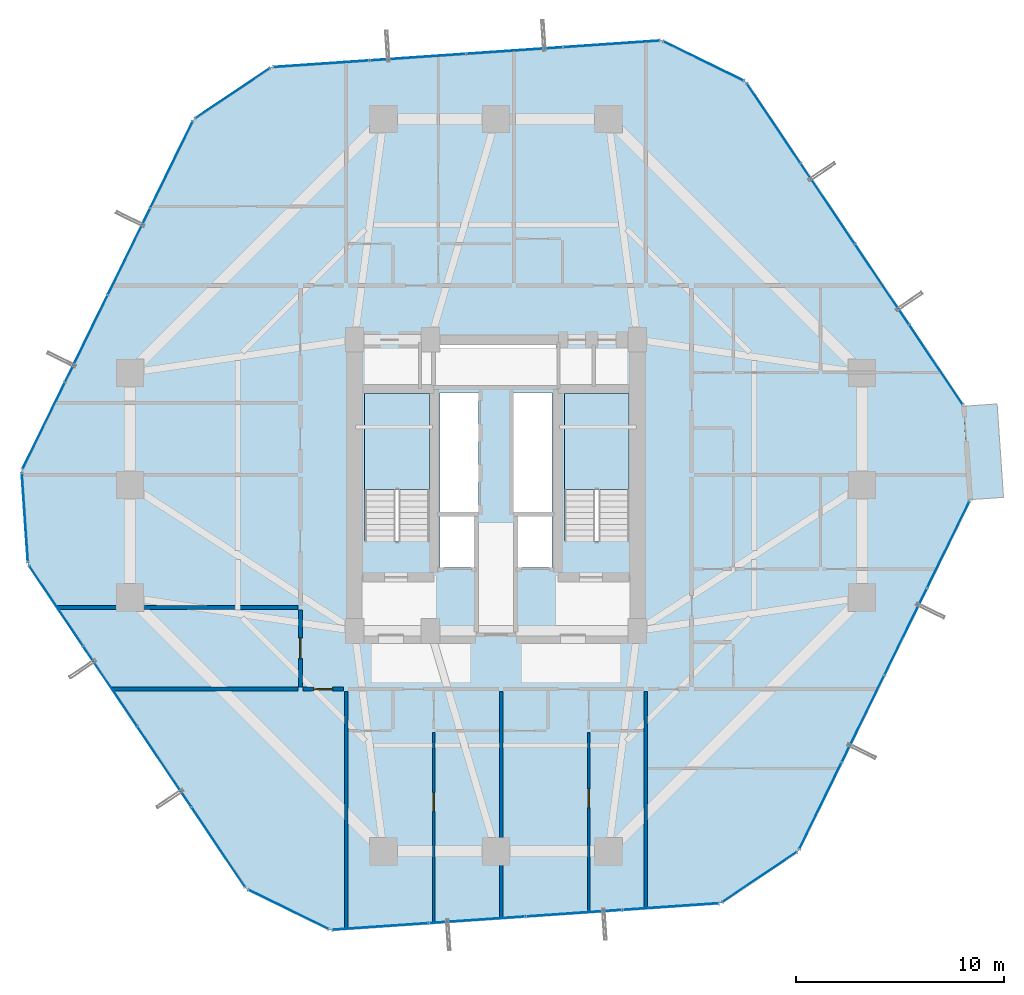
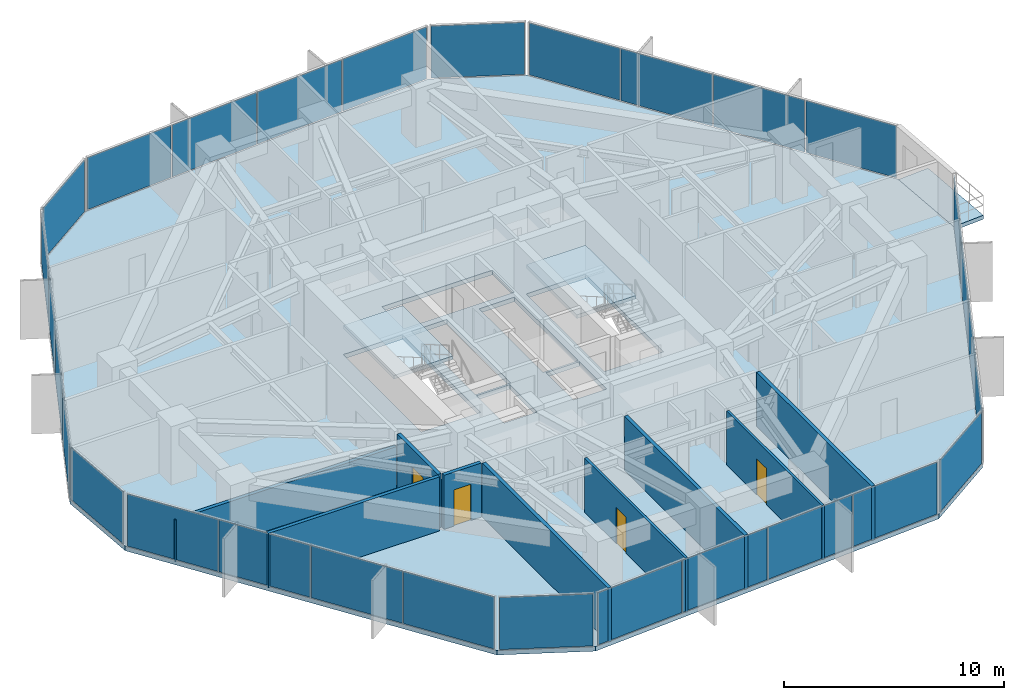
# One storey, part 32 of 37: 29 plates, 9 walls, 4 doors, 4 slabs, 4 openings, 13 elements without a shape of their own.
"""IFC4 building model written with IfcOpenShell, lengths in metres."""

from ifc_helpers import new_model, si_unit, direction, frame, frame_2d, origin, origin_2d, place, context, subcontext, project, spatial, polyline, rectangle, outline, extrude, source, transform, mapped, material, layer, layer_set, type_object, element, fill, aggregate, save


model = new_model("IFC4")

# Units and contexts
model_context = context("Model", 3, precision=1e-05, world=origin(), true_north=direction((0.0, 1.0)))
body_context = subcontext(model_context, "Body", "Model", "MODEL_VIEW")
ifc_project = project(units=[si_unit("LENGTHUNIT", "METRE"), si_unit("AREAUNIT", "SQUARE_METRE"), si_unit("VOLUMEUNIT", "CUBIC_METRE"), si_unit("PLANEANGLEUNIT", "RADIAN"), si_unit("MASSUNIT", "GRAM", prefix="KILO")], contexts=[model_context])

# Site, building, storey
site_placement = place(None, origin())
site = spatial("IfcSite", under=ifc_project, at=site_placement, CompositionType="ELEMENT")
building_placement = place(site_placement, origin())
building = spatial("IfcBuilding", under=site, at=building_placement, Name="Veraguas Prism Commons", CompositionType="ELEMENT")
storey_placement = place(building_placement, frame((0.0, 0.0, 37.050048828125)))
storey = spatial("IfcBuildingStorey", under=building, at=storey_placement, Name="L09", CompositionType="ELEMENT", Elevation=37.050048828125)

# Stair, slab
ifc_material_1 = material(Name="Precast concrete C45/55", Category="concrete")
stair_type = type_object("IfcStairType", Name="Dogleg Core Stair 1480W 20R 05", PredefinedType="HALF_TURN_STAIR", material=ifc_material_1)
stair_1_placement = place(storey_placement, origin())
stair_1 = element("IfcStair", 1, at=stair_1_placement, inside=storey, type_object=stair_type, Name="Protected Exit Stair ST-01 L09", PredefinedType="HALF_TURN_STAIR")
ifc_layer_1 = layer(ifc_material_1, 0.199951171875, Name="Precast Stair and Ramp Landing Slab 200", Category="concrete")
ifc_layer_set_1 = layer_set([ifc_layer_1], Name="Precast concrete C45/55")
slab_type_1 = type_object("IfcSlabType", Name="Precast Stair and Ramp Landing Slab 200", PredefinedType="LANDING", material=ifc_layer_set_1)
slab_1_placement = place(storey_placement, frame((0.0, 0.0, 1.425048828125)))
slab_1 = element("IfcSlab", 2, at=slab_1_placement, type_object=slab_type_1, Name="ST-05 Landing 1", PredefinedType="LANDING", context=body_context, shape_type="SweptSolid", body=[
    extrude(outline(polyline([(20.800048828125, 23.800048828125), (20.800048828125, 28.39990234375), (17.68994140625, 28.39990234375), (17.68994140625, 23.800048828125), (20.800048828125, 23.800048828125)])), origin(), (0.0, 0.0, 1.0), 0.199951171875),
])
aggregate(stair_1, [slab_1])

stair_2_placement = place(storey_placement, origin())
stair_2 = element("IfcStair", 3, at=stair_2_placement, inside=storey, type_object=stair_type, Name="Protected Exit Stair ST-02 L09", PredefinedType="HALF_TURN_STAIR")
slab_2_placement = place(storey_placement, frame((0.0, 0.0, 1.425048828125)))
slab_2 = element("IfcSlab", 4, at=slab_2_placement, type_object=slab_type_1, Name="ST-05 Landing 1", PredefinedType="LANDING", context=body_context, shape_type="SweptSolid", body=[
    extrude(outline(polyline([(30.39990234375, 23.800048828125), (30.39990234375, 28.39990234375), (27.2900390625, 28.39990234375), (27.2900390625, 23.800048828125), (30.39990234375, 23.800048828125)])), origin(), (0.0, 0.0, 1.0), 0.199951171875),
])
aggregate(stair_2, [slab_2])

# Slabs
ifc_material_2 = material(Name="Concrete C45/55", Category="concrete")
ifc_layer_2 = layer(ifc_material_2, 0.219970703125, Name="Recessed Loggia and Terrace Slab RC 220", Category="concrete")
ifc_layer_set_2 = layer_set([ifc_layer_2], Name="Concrete C45/55")
slab_type_2 = type_object("IfcSlabType", Name="Recessed Loggia and Terrace Slab RC 220", PredefinedType="FLOOR", material=ifc_layer_set_2)
slab_3_placement = place(storey_placement, frame((0.0, 0.0, -0.219970703125)))
element("IfcSlab", 5, at=slab_3_placement, inside=storey, type_object=slab_type_2, Name="Recessed Corner Loggia L09-C1", PredefinedType="FLOOR", context=body_context, shape_type="SweptSolid", body=[
    extrude(outline(polyline([(46.78173828125, 23.305908203125), (48.39794921875, 23.41650390625), (48.09033203125, 27.906005859375), (46.47412109375, 27.79541015625), (46.78173828125, 23.305908203125)])), origin(), (0.0, 0.0, 1.0), 0.219970703125),
])
ifc_layer_3 = layer(ifc_material_2, 0.25, Name="Tower Lower Residential Floor Slab RC 250", Category="concrete")
ifc_layer_set_3 = layer_set([ifc_layer_3], Name="Concrete C45/55")
slab_type_3 = type_object("IfcSlabType", Name="Tower Lower Residential Floor Slab RC 250", PredefinedType="FLOOR", material=ifc_layer_set_3)
slab_4_placement = place(storey_placement, frame((0.0, 0.0, -0.25)))
element("IfcSlab", 6, at=slab_4_placement, inside=storey, type_object=slab_type_3, Name="Tower Floor Slab L09", PredefinedType="FLOOR", context=body_context, shape_type="SweptSolid", body=[
    extrude(outline(polyline([(46.8017578125, 23.30712890625), (46.493896484375, 27.796630859375), (36.000732421875, 43.400390625), (31.958984375, 45.378662109375), (13.19921875, 44.09326171875), (9.465087890625, 41.58203125), (1.1982421875, 24.69287109375), (1.506103515625, 20.203369140625), (11.999267578125, 4.599609375), (16.041015625, 2.621337890625), (34.80078125, 3.90673828125), (38.534912109375, 6.41796875), (46.8017578125, 23.30712890625)]), holes=[polyline([(20.800048828125, 21.31005859375), (20.800048828125, 28.39990234375), (17.68994140625, 28.39990234375), (17.68994140625, 21.31005859375), (20.800048828125, 21.31005859375)]), polyline([(30.39990234375, 21.31005859375), (30.39990234375, 28.39990234375), (27.2900390625, 28.39990234375), (27.2900390625, 21.31005859375), (30.39990234375, 21.31005859375)]), polyline([(21.300048828125, 22.64990234375), (23.14990234375, 22.64990234375), (23.14990234375, 28.449951171875), (21.300048828125, 28.449951171875), (21.300048828125, 22.64990234375)]), polyline([(24.85009765625, 22.64990234375), (26.699951171875, 22.64990234375), (26.699951171875, 28.449951171875), (24.85009765625, 28.449951171875), (24.85009765625, 22.64990234375)]), polyline([(21.10009765625, 28.800048828125), (26.89990234375, 28.800048828125), (26.89990234375, 30.800048828125), (21.10009765625, 30.800048828125), (21.10009765625, 28.800048828125)]), polyline([(21.300048828125, 20.050048828125), (23.050048828125, 20.050048828125), (23.050048828125, 22.550048828125), (21.300048828125, 22.550048828125), (21.300048828125, 20.050048828125)]), polyline([(24.949951171875, 20.050048828125), (26.699951171875, 20.050048828125), (26.699951171875, 22.550048828125), (24.949951171875, 22.550048828125), (24.949951171875, 20.050048828125)])]), origin(), (0.0, 0.0, 1.0), 0.25),
])

# Curtain wall, plates
ifc_material_3 = material(Name="Anodised aluminium EN AW-6063 T6", Category="aluminium")
ifc_layer_4 = layer(ifc_material_3, 0.169921875, Name="Unitised Flush Curtain Wall Zone 1", Category="aluminium")
ifc_layer_set_4 = layer_set([ifc_layer_4], Name="Anodised aluminium EN AW-6063 T6")
curtain_wall_type = type_object("IfcCurtainWallType", Name="Unitised Flush Curtain Wall Zone 1", PredefinedType="NOTDEFINED", material=ifc_layer_set_4)
curtain_wall_1_placement = place(storey_placement, origin())
curtain_wall_1 = element("IfcCurtainWall", 7, at=curtain_wall_1_placement, inside=storey, type_object=curtain_wall_type, Name="Tower Facade Curtain Wall L09-F1", PredefinedType="NOTDEFINED")
ifc_material_4 = material(Name="Laminated low-e glass", Category="glass")
ifc_layer_5 = layer(ifc_material_4, 0.028076171875, Name="Unitised Double Low-E Glazed Panel 28", Category="glass")
ifc_layer_set_5 = layer_set([ifc_layer_5], Name="Laminated low-e glass")
plate_type = type_object("IfcPlateType", Name="Unitised Double Low-E Glazed Panel 28", PredefinedType="CURTAIN_PANEL", material=ifc_layer_set_5)
shared_shape_1 = source(origin(), body_context, "Body", "SweptSolid", [
    extrude(rectangle(XDim=4.5810546875, YDim=0.028076171875, at=origin_2d()), origin(), (0.0, 0.0, 1.0), 2.889892578125),
])
plate_1_placement = place(storey_placement, frame((45.14892578125, 29.796875, 0.05517578125), z_axis=(0.0, 0.0, 1.0), x_axis=(-0.558034803938, 0.829817544761, 0.0)))
plate_1 = element("IfcPlate", 8, at=plate_1_placement, type_object=plate_type, Name="CW-Z1 Panel 1.1", PredefinedType="CURTAIN_PANEL", context=body_context, shape_type="MappedRepresentation", body=[
    mapped(shared_shape_1, transform((0.0, 0.0, 0.0), scale=1.0)),
])
plate_2_placement = place(storey_placement, frame((37.345947265625, 41.400146484375, 0.05517578125), z_axis=(0.0, 0.0, 1.0), x_axis=(-0.558034803938, 0.829817544761, 0.0)))
plate_2 = element("IfcPlate", 9, at=plate_2_placement, type_object=plate_type, Name="CW-Z1 Panel 4.1", PredefinedType="CURTAIN_PANEL", context=body_context, shape_type="MappedRepresentation", body=[
    mapped(shared_shape_1, transform((0.0, 0.0, 0.0), scale=1.0)),
])

curtain_wall_2_placement = place(storey_placement, origin())
curtain_wall_2 = element("IfcCurtainWall", 10, at=curtain_wall_2_placement, inside=storey, type_object=curtain_wall_type, Name="Tower Facade Curtain Wall L09-F3", PredefinedType="NOTDEFINED")
plate_3_placement = place(storey_placement, frame((8.4052734375, 39.4169921875, 0.05517578125), z_axis=(0.0, 0.0, 1.0), x_axis=(-0.4396256723, -0.898181088787, 0.0)))
plate_3 = element("IfcPlate", 11, at=plate_3_placement, type_object=plate_type, Name="CW-Z1 Panel 1.1", PredefinedType="CURTAIN_PANEL", context=body_context, shape_type="MappedRepresentation", body=[
    mapped(shared_shape_1, transform((0.0, 0.0, 0.0), scale=1.0)),
])
plate_4_placement = place(storey_placement, frame((2.258056640625, 26.85791015625, 0.05517578125), z_axis=(0.0, 0.0, 1.0), x_axis=(-0.4396256723, -0.898181088787, 0.0)))
plate_4 = element("IfcPlate", 12, at=plate_4_placement, type_object=plate_type, Name="CW-Z1 Panel 4.1", PredefinedType="CURTAIN_PANEL", context=body_context, shape_type="MappedRepresentation", body=[
    mapped(shared_shape_1, transform((0.0, 0.0, 0.0), scale=1.0)),
])

curtain_wall_3_placement = place(storey_placement, origin())
curtain_wall_3 = element("IfcCurtainWall", 13, at=curtain_wall_3_placement, inside=storey, type_object=curtain_wall_type, Name="Tower Facade Curtain Wall L09-F4", PredefinedType="NOTDEFINED")
plate_5_placement = place(storey_placement, frame((2.85107421875, 18.203125, 0.05517578125), z_axis=(0.0, 0.0, 1.0), x_axis=(0.558034803938, -0.829817544761, 0.0)))
plate_5 = element("IfcPlate", 14, at=plate_5_placement, type_object=plate_type, Name="CW-Z1 Panel 1.1", PredefinedType="CURTAIN_PANEL", context=body_context, shape_type="MappedRepresentation", body=[
    mapped(shared_shape_1, transform((0.0, 0.0, 0.0), scale=1.0)),
])
plate_6_placement = place(storey_placement, frame((10.654052734375, 6.599853515625, 0.05517578125), z_axis=(0.0, 0.0, 1.0), x_axis=(0.558034803938, -0.829817544761, 0.0)))
plate_6 = element("IfcPlate", 15, at=plate_6_placement, type_object=plate_type, Name="CW-Z1 Panel 4.1", PredefinedType="CURTAIN_PANEL", context=body_context, shape_type="MappedRepresentation", body=[
    mapped(shared_shape_1, transform((0.0, 0.0, 0.0), scale=1.0)),
])

curtain_wall_4_placement = place(storey_placement, origin())
curtain_wall_4 = element("IfcCurtainWall", 16, at=curtain_wall_4_placement, inside=storey, type_object=curtain_wall_type, Name="Tower Facade Curtain Wall L09-F6", PredefinedType="NOTDEFINED")
plate_7_placement = place(storey_placement, frame((39.5947265625, 8.5830078125, 0.05517578125), z_axis=(0.0, 0.0, 1.0), x_axis=(0.4396256723, 0.898181088787, 0.0)))
plate_7 = element("IfcPlate", 17, at=plate_7_placement, type_object=plate_type, Name="CW-Z1 Panel 1.1", PredefinedType="CURTAIN_PANEL", context=body_context, shape_type="MappedRepresentation", body=[
    mapped(shared_shape_1, transform((0.0, 0.0, 0.0), scale=1.0)),
])
plate_8_placement = place(storey_placement, frame((45.741943359375, 21.14208984375, 0.05517578125), z_axis=(0.0, 0.0, 1.0), x_axis=(0.4396256723, 0.898181088787, 0.0)))
plate_8 = element("IfcPlate", 18, at=plate_8_placement, type_object=plate_type, Name="CW-Z1 Panel 4.1", PredefinedType="CURTAIN_PANEL", context=body_context, shape_type="MappedRepresentation", body=[
    mapped(shared_shape_1, transform((0.0, 0.0, 0.0), scale=1.0)),
])

# Plate
shared_shape_2 = source(origin(), body_context, "Body", "SweptSolid", [
    extrude(rectangle(XDim=4.611083984375, YDim=0.028076171875, at=origin_2d()), origin(), (0.0, 0.0, 1.0), 2.889892578125),
])
plate_9_placement = place(storey_placement, frame((6.3583984375, 35.235107421875, 0.05517578125), z_axis=(0.0, 0.0, 1.0), x_axis=(-0.4396256723, -0.898181088787, 0.0)))
plate_9 = element("IfcPlate", 19, at=plate_9_placement, type_object=plate_type, Name="CW-Z1 Panel 2.1", PredefinedType="CURTAIN_PANEL", context=body_context, shape_type="MappedRepresentation", body=[
    mapped(shared_shape_2, transform((0.0, 0.0, 0.0), scale=1.0)),
])

plate_10_placement = place(storey_placement, frame((4.304931640625, 31.039794921875, 0.05517578125), z_axis=(0.0, 0.0, 1.0), x_axis=(-0.4396256723, -0.898181088787, 0.0)))
plate_10 = element("IfcPlate", 20, at=plate_10_placement, type_object=plate_type, Name="CW-Z1 Panel 3.1", PredefinedType="CURTAIN_PANEL", context=body_context, shape_type="MappedRepresentation", body=[
    mapped(shared_shape_2, transform((0.0, 0.0, 0.0), scale=1.0)),
])

aggregate(curtain_wall_2, [plate_3, plate_9, plate_10, plate_4])

plate_11_placement = place(storey_placement, frame((41.6416015625, 12.764892578125, 0.05517578125), z_axis=(0.0, 0.0, 1.0), x_axis=(0.4396256723, 0.898181088787, 0.0)))
plate_11 = element("IfcPlate", 21, at=plate_11_placement, type_object=plate_type, Name="CW-Z1 Panel 2.1", PredefinedType="CURTAIN_PANEL", context=body_context, shape_type="MappedRepresentation", body=[
    mapped(shared_shape_2, transform((0.0, 0.0, 0.0), scale=1.0)),
])

plate_12_placement = place(storey_placement, frame((43.695068359375, 16.960205078125, 0.05517578125), z_axis=(0.0, 0.0, 1.0), x_axis=(0.4396256723, 0.898181088787, 0.0)))
plate_12 = element("IfcPlate", 22, at=plate_12_placement, type_object=plate_type, Name="CW-Z1 Panel 3.1", PredefinedType="CURTAIN_PANEL", context=body_context, shape_type="MappedRepresentation", body=[
    mapped(shared_shape_2, transform((0.0, 0.0, 0.0), scale=1.0)),
])

aggregate(curtain_wall_4, [plate_7, plate_11, plate_12, plate_8])

shared_shape_3 = source(origin(), body_context, "Body", "SweptSolid", [
    extrude(rectangle(XDim=4.61083984375, YDim=0.028076171875, at=origin_2d()), origin(), (0.0, 0.0, 1.0), 2.889892578125),
])
plate_13_placement = place(storey_placement, frame((42.55078125, 33.66064453125, 0.05517578125), z_axis=(0.0, 0.0, 1.0), x_axis=(-0.558034803938, 0.829817544761, 0.0)))
plate_13 = element("IfcPlate", 23, at=plate_13_placement, type_object=plate_type, Name="CW-Z1 Panel 2.1", PredefinedType="CURTAIN_PANEL", context=body_context, shape_type="MappedRepresentation", body=[
    mapped(shared_shape_3, transform((0.0, 0.0, 0.0), scale=1.0)),
])

plate_14_placement = place(storey_placement, frame((39.944091796875, 37.53662109375, 0.05517578125), z_axis=(0.0, 0.0, 1.0), x_axis=(-0.558034803938, 0.829817544761, 0.0)))
plate_14 = element("IfcPlate", 24, at=plate_14_placement, type_object=plate_type, Name="CW-Z1 Panel 3.1", PredefinedType="CURTAIN_PANEL", context=body_context, shape_type="MappedRepresentation", body=[
    mapped(shared_shape_3, transform((0.0, 0.0, 0.0), scale=1.0)),
])

aggregate(curtain_wall_1, [plate_1, plate_13, plate_14, plate_2])

# Curtain wall, plates
curtain_wall_5_placement = place(storey_placement, origin())
curtain_wall_5 = element("IfcCurtainWall", 25, at=curtain_wall_5_placement, inside=storey, type_object=curtain_wall_type, Name="Tower Facade Curtain Wall L09-F2", PredefinedType="NOTDEFINED")
plate_15_placement = place(storey_placement, frame((24.9091796875, 44.8955078125, 0.05517578125), z_axis=(0.0, 0.0, 1.0), x_axis=(-0.997660476238, -0.068363544026, 0.0)))
plate_15 = element("IfcPlate", 26, at=plate_15_placement, type_object=plate_type, Name="CW-Z1 Panel 2.1", PredefinedType="CURTAIN_PANEL", context=body_context, shape_type="MappedRepresentation", body=[
    mapped(shared_shape_3, transform((0.0, 0.0, 0.0), scale=1.0)),
])
plate_16_placement = place(storey_placement, frame((20.2490234375, 44.576171875, 0.05517578125), z_axis=(0.0, 0.0, 1.0), x_axis=(-0.997660476238, -0.068363544026, 0.0)))
plate_16 = element("IfcPlate", 27, at=plate_16_placement, type_object=plate_type, Name="CW-Z1 Panel 3.1", PredefinedType="CURTAIN_PANEL", context=body_context, shape_type="MappedRepresentation", body=[
    mapped(shared_shape_3, transform((0.0, 0.0, 0.0), scale=1.0)),
])

# Plate
plate_17_placement = place(storey_placement, frame((5.44921875, 14.33935546875, 0.05517578125), z_axis=(0.0, 0.0, 1.0), x_axis=(0.558034803938, -0.829817544761, 0.0)))
plate_17 = element("IfcPlate", 28, at=plate_17_placement, type_object=plate_type, Name="CW-Z1 Panel 2.1", PredefinedType="CURTAIN_PANEL", context=body_context, shape_type="MappedRepresentation", body=[
    mapped(shared_shape_3, transform((0.0, 0.0, 0.0), scale=1.0)),
])

plate_18_placement = place(storey_placement, frame((8.055908203125, 10.46337890625, 0.05517578125), z_axis=(0.0, 0.0, 1.0), x_axis=(0.558034803938, -0.829817544761, 0.0)))
plate_18 = element("IfcPlate", 29, at=plate_18_placement, type_object=plate_type, Name="CW-Z1 Panel 3.1", PredefinedType="CURTAIN_PANEL", context=body_context, shape_type="MappedRepresentation", body=[
    mapped(shared_shape_3, transform((0.0, 0.0, 0.0), scale=1.0)),
])

aggregate(curtain_wall_3, [plate_5, plate_17, plate_18, plate_6])

# Curtain wall, plates
curtain_wall_6_placement = place(storey_placement, origin())
curtain_wall_6 = element("IfcCurtainWall", 30, at=curtain_wall_6_placement, inside=storey, type_object=curtain_wall_type, Name="Tower Facade Curtain Wall L09-F5", PredefinedType="NOTDEFINED")
plate_19_placement = place(storey_placement, frame((23.0908203125, 3.1044921875, 0.05517578125), z_axis=(0.0, 0.0, 1.0), x_axis=(0.997660476238, 0.068363544026, 0.0)))
plate_19 = element("IfcPlate", 31, at=plate_19_placement, type_object=plate_type, Name="CW-Z1 Panel 2.1", PredefinedType="CURTAIN_PANEL", context=body_context, shape_type="MappedRepresentation", body=[
    mapped(shared_shape_3, transform((0.0, 0.0, 0.0), scale=1.0)),
])
plate_20_placement = place(storey_placement, frame((27.7509765625, 3.423828125, 0.05517578125), z_axis=(0.0, 0.0, 1.0), x_axis=(0.997660476238, 0.068363544026, 0.0)))
plate_20 = element("IfcPlate", 32, at=plate_20_placement, type_object=plate_type, Name="CW-Z1 Panel 3.1", PredefinedType="CURTAIN_PANEL", context=body_context, shape_type="MappedRepresentation", body=[
    mapped(shared_shape_3, transform((0.0, 0.0, 0.0), scale=1.0)),
])

# Curtain wall, plate
curtain_wall_7_placement = place(storey_placement, origin())
curtain_wall_7 = element("IfcCurtainWall", 33, at=curtain_wall_7_placement, inside=storey, type_object=curtain_wall_type, Name="Chamfer Curtain Wall L09-C2", PredefinedType="NOTDEFINED")
shared_shape_4 = source(origin(), body_context, "Body", "SweptSolid", [
    extrude(rectangle(XDim=4.260009765625, YDim=0.028076171875, at=origin_2d()), origin(), (0.0, 0.0, 1.0), 2.889892578125),
])
plate_21_placement = place(storey_placement, frame((33.97998046875, 44.3896484375, 0.05517578125), z_axis=(0.0, 0.0, 1.0), x_axis=(-0.898184925211, 0.439617834175, 0.0)))
plate_21 = element("IfcPlate", 34, at=plate_21_placement, type_object=plate_type, Name="CW-Z1 Panel 1.1", PredefinedType="CURTAIN_PANEL", context=body_context, shape_type="MappedRepresentation", body=[
    mapped(shared_shape_4, transform((0.0, 0.0, 0.0), scale=1.0)),
])
aggregate(curtain_wall_7, [plate_21])

curtain_wall_8_placement = place(storey_placement, origin())
curtain_wall_8 = element("IfcCurtainWall", 35, at=curtain_wall_8_placement, inside=storey, type_object=curtain_wall_type, Name="Chamfer Curtain Wall L09-C3", PredefinedType="NOTDEFINED")
plate_22_placement = place(storey_placement, frame((11.33203125, 42.837646484375, 0.05517578125), z_axis=(0.0, 0.0, 1.0), x_axis=(-0.82982728418, -0.558020320805, 0.0)))
plate_22 = element("IfcPlate", 36, at=plate_22_placement, type_object=plate_type, Name="CW-Z1 Panel 1.1", PredefinedType="CURTAIN_PANEL", context=body_context, shape_type="MappedRepresentation", body=[
    mapped(shared_shape_4, transform((0.0, 0.0, 0.0), scale=1.0)),
])
aggregate(curtain_wall_8, [plate_22])

curtain_wall_9_placement = place(storey_placement, origin())
curtain_wall_9 = element("IfcCurtainWall", 37, at=curtain_wall_9_placement, inside=storey, type_object=curtain_wall_type, Name="Chamfer Curtain Wall L09-C4", PredefinedType="NOTDEFINED")
plate_23_placement = place(storey_placement, frame((1.35205078125, 22.447998046875, 0.05517578125), z_axis=(0.0, 0.0, 1.0), x_axis=(0.068379215231, -0.997659402263, 0.0)))
plate_23 = element("IfcPlate", 38, at=plate_23_placement, type_object=plate_type, Name="CW-Z1 Panel 1.1", PredefinedType="CURTAIN_PANEL", context=body_context, shape_type="MappedRepresentation", body=[
    mapped(shared_shape_4, transform((0.0, 0.0, 0.0), scale=1.0)),
])
aggregate(curtain_wall_9, [plate_23])

curtain_wall_10_placement = place(storey_placement, origin())
curtain_wall_10 = element("IfcCurtainWall", 39, at=curtain_wall_10_placement, inside=storey, type_object=curtain_wall_type, Name="Chamfer Curtain Wall L09-C5", PredefinedType="NOTDEFINED")
plate_24_placement = place(storey_placement, frame((14.02001953125, 3.6103515625, 0.05517578125), z_axis=(0.0, 0.0, 1.0), x_axis=(0.898184925211, -0.439617834175, 0.0)))
plate_24 = element("IfcPlate", 40, at=plate_24_placement, type_object=plate_type, Name="CW-Z1 Panel 1.1", PredefinedType="CURTAIN_PANEL", context=body_context, shape_type="MappedRepresentation", body=[
    mapped(shared_shape_4, transform((0.0, 0.0, 0.0), scale=1.0)),
])
aggregate(curtain_wall_10, [plate_24])

curtain_wall_11_placement = place(storey_placement, origin())
curtain_wall_11 = element("IfcCurtainWall", 41, at=curtain_wall_11_placement, inside=storey, type_object=curtain_wall_type, Name="Chamfer Curtain Wall L09-C6", PredefinedType="NOTDEFINED")
plate_25_placement = place(storey_placement, frame((36.66796875, 5.162353515625, 0.05517578125), z_axis=(0.0, 0.0, 1.0), x_axis=(0.82982728418, 0.558020320805, 0.0)))
plate_25 = element("IfcPlate", 42, at=plate_25_placement, type_object=plate_type, Name="CW-Z1 Panel 1.1", PredefinedType="CURTAIN_PANEL", context=body_context, shape_type="MappedRepresentation", body=[
    mapped(shared_shape_4, transform((0.0, 0.0, 0.0), scale=1.0)),
])
aggregate(curtain_wall_11, [plate_25])

# Plate
shared_shape_5 = source(origin(), body_context, "Body", "SweptSolid", [
    extrude(rectangle(XDim=4.580810546875, YDim=0.028076171875, at=origin_2d()), origin(), (0.0, 0.0, 1.0), 2.889892578125),
])
plate_26_placement = place(storey_placement, frame((29.55419921875, 45.2138671875, 0.05517578125), z_axis=(0.0, 0.0, 1.0), x_axis=(-0.997660476238, -0.068363544026, 0.0)))
plate_26 = element("IfcPlate", 43, at=plate_26_placement, type_object=plate_type, Name="CW-Z1 Panel 1.1", PredefinedType="CURTAIN_PANEL", context=body_context, shape_type="MappedRepresentation", body=[
    mapped(shared_shape_5, transform((0.0, 0.0, 0.0), scale=1.0)),
])

plate_27_placement = place(storey_placement, frame((15.60400390625, 44.258056640625, 0.05517578125), z_axis=(0.0, 0.0, 1.0), x_axis=(-0.997660476238, -0.068363544026, 0.0)))
plate_27 = element("IfcPlate", 44, at=plate_27_placement, type_object=plate_type, Name="CW-Z1 Panel 4.1", PredefinedType="CURTAIN_PANEL", context=body_context, shape_type="MappedRepresentation", body=[
    mapped(shared_shape_5, transform((0.0, 0.0, 0.0), scale=1.0)),
])

aggregate(curtain_wall_5, [plate_26, plate_15, plate_16, plate_27])

plate_28_placement = place(storey_placement, frame((18.44580078125, 2.7861328125, 0.05517578125), z_axis=(0.0, 0.0, 1.0), x_axis=(0.997660476238, 0.068363544026, 0.0)))
plate_28 = element("IfcPlate", 45, at=plate_28_placement, type_object=plate_type, Name="CW-Z1 Panel 1.1", PredefinedType="CURTAIN_PANEL", context=body_context, shape_type="MappedRepresentation", body=[
    mapped(shared_shape_5, transform((0.0, 0.0, 0.0), scale=1.0)),
])

plate_29_placement = place(storey_placement, frame((32.39599609375, 3.741943359375, 0.05517578125), z_axis=(0.0, 0.0, 1.0), x_axis=(0.997660476238, 0.068363544026, 0.0)))
plate_29 = element("IfcPlate", 46, at=plate_29_placement, type_object=plate_type, Name="CW-Z1 Panel 4.1", PredefinedType="CURTAIN_PANEL", context=body_context, shape_type="MappedRepresentation", body=[
    mapped(shared_shape_5, transform((0.0, 0.0, 0.0), scale=1.0)),
])

aggregate(curtain_wall_6, [plate_28, plate_19, plate_20, plate_29])

# Walls
ifc_material_5 = material(Name="Autoclaved aerated masonry block 10 MPa", Category="masonry")
ifc_layer_6 = layer(ifc_material_5, 0.179931640625, Name="Corridor and Inter-Tenancy Partition 180", Category="masonry")
ifc_layer_set_6 = layer_set([ifc_layer_6], Name="Autoclaved aerated masonry block 10 MPa")
wall_type_1 = type_object("IfcWallType", Name="Corridor and Inter-Tenancy Partition 180", PredefinedType="PARTITIONING", material=ifc_layer_set_6)
wall_1_placement = place(storey_placement, frame((16.800048828125, 14.080078125, 0.0), z_axis=(0.0, 0.0, 1.0), x_axis=(0.0, -1.0, 0.0)))
element("IfcWall", 47, at=wall_1_placement, inside=storey, type_object=wall_type_1, Name="WL-L09-PT001", PredefinedType="PARTITIONING", context=body_context, shape_type="SweptSolid", body=[
    extrude(rectangle(XDim=11.436767578125, YDim=0.179931640625, at=frame_2d((5.71826171875, 0.0))), origin(), (0.0, 0.0, 1.0), 3.0),
])
wall_2_placement = place(storey_placement, frame((31.199951171875, 14.080078125, 0.0), z_axis=(0.0, 0.0, 1.0), x_axis=(0.0, -1.0, 0.0)))
element("IfcWall", 48, at=wall_2_placement, inside=storey, type_object=wall_type_1, Name="WL-L09-PT002", PredefinedType="PARTITIONING", context=body_context, shape_type="SweptSolid", body=[
    extrude(rectangle(XDim=10.4501953125, YDim=0.179931640625, at=frame_2d((5.22509765625, 0.0))), origin(), (0.0, 0.0, 1.0), 3.0),
])
wall_3_placement = place(storey_placement, frame((24.258056640625, 14.080078125, 0.0), z_axis=(0.0, 0.0, 1.0), x_axis=(0.0, -1.0, 0.0)))
element("IfcWall", 49, at=wall_3_placement, inside=storey, type_object=wall_type_1, Name="WL-L09-PT009", PredefinedType="PARTITIONING", context=body_context, shape_type="SweptSolid", body=[
    extrude(rectangle(XDim=10.92578125, YDim=0.179931640625, at=frame_2d((5.462890625, 0.0))), origin(), (0.0, 0.0, 1.0), 3.0),
])
wall_4_placement = place(storey_placement, frame((14.47998046875, 14.199951171875, 0.0), z_axis=(0.0, 0.0, 1.0), x_axis=(-1.0, 0.0, 0.0)))
element("IfcWall", 50, at=wall_4_placement, inside=storey, type_object=wall_type_1, Name="WL-L09-PT028", PredefinedType="PARTITIONING", context=body_context, shape_type="SweptSolid", body=[
    extrude(rectangle(XDim=8.972900390625, YDim=0.179931640625, at=frame_2d((4.486328125, 0.0))), origin(), (0.0, 0.0, 1.0), 3.0),
])

# Wall, opening, door
wall_5_placement = place(storey_placement, frame((14.60009765625, 14.31005859375, 0.0), z_axis=(0.0, 0.0, 1.0), x_axis=(0.0, 1.0, 0.0)))
wall_5 = element("IfcWall", 51, at=wall_5_placement, inside=storey, type_object=wall_type_1, Name="WL-L09-PT030", PredefinedType="PARTITIONING", context=body_context, shape_type="SweptSolid", body=[
    extrude(rectangle(XDim=3.697021484375, YDim=0.179931640625, at=frame_2d((1.8486328125, 0.0))), origin(), (0.0, 0.0, 1.0), 3.0),
])
opening_1_placement = place(wall_5_placement, frame((1.348388671875, 0.0, 0.0)))
opening_1 = element("IfcOpeningElement", 52, at=opening_1_placement, cuts=wall_5, Name="Opening DR-13", PredefinedType="OPENING", context=body_context, shape_type="SweptSolid", body=[
    extrude(rectangle(XDim=1.0, YDim=2.010009765625, at=frame_2d((0.5, 1.0048828125))), frame((0.0, 0.099853515625, 0.0), z_axis=(0.0, -1.0, 0.0), x_axis=(1.0, 0.0, 0.0)), (0.0, 0.0, 1.0), 0.199951171875),
])
ifc_material_6 = material(Name="Steel fire-rated door assembly", Category="steel")
door_type_1 = type_object("IfcDoorType", Name="Core Accessible WC and Clinic Fire Door 1000x2010", OperationType="NOTDEFINED", PredefinedType="DOOR", material=ifc_material_6)
shared_shape_6 = source(origin(), body_context, "Body", "SweptSolid", [
    extrude(rectangle(XDim=1.0, YDim=2.010009765625, at=frame_2d((0.5, 1.0048828125))), frame((0.0, 0.02490234375, 0.0), z_axis=(0.0, -1.0, 0.0), x_axis=(1.0, 0.0, 0.0)), (0.0, 0.0, 1.0), 0.050048828125),
])
door_1_placement = place(opening_1_placement, origin())
door_1 = element("IfcDoor", 53, at=door_1_placement, inside=storey, type_object=door_type_1, Name="Community Co-op Kitchen Door", OperationType="SINGLE_SWING_LEFT", OverallHeight=2.010009765625, OverallWidth=1.0, PredefinedType="DOOR", context=body_context, shape_type="MappedRepresentation", body=[
    mapped(shared_shape_6, transform((0.0, 0.0, 0.0), scale=1.0)),
])
fill(opening_1, door_1)

# Wall
wall_6_placement = place(storey_placement, frame((14.47998046875, 18.116943359375, 0.0), z_axis=(0.0, 0.0, 1.0), x_axis=(-1.0, 0.0, 0.0)))
element("IfcWall", 54, at=wall_6_placement, inside=storey, type_object=wall_type_1, Name="WL-L09-PT032", PredefinedType="PARTITIONING", context=body_context, shape_type="SweptSolid", body=[
    extrude(rectangle(XDim=11.607177734375, YDim=0.179931640625, at=frame_2d((5.8037109375, 0.0))), origin(), (0.0, 0.0, 1.0), 2.299072265625),
])

# Wall, opening, door
wall_7_placement = place(storey_placement, frame((14.719970703125, 14.199951171875, 0.0), z_axis=(0.0, 0.0, 1.0), x_axis=(1.0, 0.0, 0.0)))
wall_7 = element("IfcWall", 55, at=wall_7_placement, inside=storey, type_object=wall_type_1, Name="WL-L09-PT056", PredefinedType="PARTITIONING", context=body_context, shape_type="SweptSolid", body=[
    extrude(rectangle(XDim=1.9599609375, YDim=0.179931640625, at=frame_2d((0.97998046875, 0.0))), origin(), (0.0, 0.0, 1.0), 3.0),
])
opening_2_placement = place(wall_7_placement, frame((0.530029296875, 0.0, 0.0)))
opening_2 = element("IfcOpeningElement", 56, at=opening_2_placement, cuts=wall_7, Name="Opening DR-14", PredefinedType="OPENING", context=body_context, shape_type="SweptSolid", body=[
    extrude(rectangle(XDim=0.89990234375, YDim=2.010009765625, at=frame_2d((0.449951171875, 1.0048828125))), frame((0.0, 0.099853515625, 0.0), z_axis=(0.0, -1.0, 0.0), x_axis=(1.0, 0.0, 0.0)), (0.0, 0.0, 1.0), 0.199951171875),
])
door_type_2 = type_object("IfcDoorType", Name="Core Service Room Fire Door 900x2010", OperationType="NOTDEFINED", PredefinedType="DOOR", material=ifc_material_6)
shared_shape_7 = source(origin(), body_context, "Body", "SweptSolid", [
    extrude(rectangle(XDim=0.89990234375, YDim=2.010009765625, at=frame_2d((0.449951171875, 1.0048828125))), frame((0.0, 0.02490234375, 0.0), z_axis=(0.0, -1.0, 0.0), x_axis=(1.0, 0.0, 0.0)), (0.0, 0.0, 1.0), 0.050048828125),
])
door_2_placement = place(opening_2_placement, origin())
door_2 = element("IfcDoor", 57, at=door_2_placement, inside=storey, type_object=door_type_2, Name="Residents Corner Study Room SW Door", OperationType="SINGLE_SWING_LEFT", OverallHeight=2.010009765625, OverallWidth=0.89990234375, PredefinedType="DOOR", context=body_context, shape_type="MappedRepresentation", body=[
    mapped(shared_shape_7, transform((0.0, 0.0, 0.0), scale=1.0)),
])
fill(opening_2, door_2)

ifc_material_7 = material(Name="Lightweight acoustic gypsum board")
ifc_layer_7 = layer(ifc_material_7, 0.125, Name="Internal Apartment Room Partition 125")
ifc_layer_set_7 = layer_set([ifc_layer_7], Name="Lightweight acoustic gypsum board")
wall_type_2 = type_object("IfcWallType", Name="Internal Apartment Room Partition 125", PredefinedType="PARTITIONING", material=ifc_layer_set_7)
wall_8_placement = place(storey_placement, frame((21.0, 12.10009765625, 0.0), z_axis=(0.0, 0.0, 1.0), x_axis=(0.0, -1.0, 0.0)))
wall_8 = element("IfcWall", 58, at=wall_8_placement, inside=storey, type_object=wall_type_2, Name="WL-L09-PT008", PredefinedType="PARTITIONING", context=body_context, shape_type="SweptSolid", body=[
    extrude(rectangle(XDim=9.169189453125, YDim=0.125, at=frame_2d((4.58447265625, 0.0))), origin(), (0.0, 0.0, 1.0), 3.0),
])
opening_3_placement = place(wall_8_placement, frame((2.87548828125, 0.0, 0.0)))
opening_3 = element("IfcOpeningElement", 59, at=opening_3_placement, cuts=wall_8, Name="Opening DR-02", PredefinedType="OPENING", context=body_context, shape_type="SweptSolid", body=[
    extrude(rectangle(XDim=0.89990234375, YDim=2.010009765625, at=frame_2d((0.449951171875, 1.0048828125))), frame((0.0, 0.072509765625, 0.0), z_axis=(0.0, -1.0, 0.0), x_axis=(1.0, 0.0, 0.0)), (0.0, 0.0, 1.0), 0.14501953125),
])
ifc_material_8 = material(Name="Timber solid core hardwood", Category="wood")
door_type_3 = type_object("IfcDoorType", Name="Internal Habitable Room Door 900x2010", OperationType="NOTDEFINED", PredefinedType="DOOR", material=ifc_material_8)
door_3_placement = place(opening_3_placement, origin())
door_3 = element("IfcDoor", 60, at=door_3_placement, inside=storey, type_object=door_type_3, Name="Flat 09A Bedroom 1 Door", OperationType="SINGLE_SWING_RIGHT", OverallHeight=2.010009765625, OverallWidth=0.89990234375, PredefinedType="DOOR", context=body_context, shape_type="MappedRepresentation", body=[
    mapped(shared_shape_7, transform((0.0, 0.0, 0.0), scale=1.0)),
])
fill(opening_3, door_3)

wall_9_placement = place(storey_placement, frame((28.4580078125, 12.10009765625, 0.0), z_axis=(0.0, 0.0, 1.0), x_axis=(0.0, -1.0, 0.0)))
wall_9 = element("IfcWall", 61, at=wall_9_placement, inside=storey, type_object=wall_type_2, Name="WL-L09-PT015", PredefinedType="PARTITIONING", context=body_context, shape_type="SweptSolid", body=[
    extrude(rectangle(XDim=8.657958984375, YDim=0.125, at=frame_2d((4.3291015625, 0.0))), origin(), (0.0, 0.0, 1.0), 3.0),
])
opening_4_placement = place(wall_9_placement, frame((2.70166015625, 0.0, 0.0)))
opening_4 = element("IfcOpeningElement", 62, at=opening_4_placement, cuts=wall_9, Name="Opening DR-02", PredefinedType="OPENING", context=body_context, shape_type="SweptSolid", body=[
    extrude(rectangle(XDim=0.89990234375, YDim=2.010009765625, at=frame_2d((0.449951171875, 1.0048828125))), frame((0.0, 0.072509765625, 0.0), z_axis=(0.0, -1.0, 0.0), x_axis=(1.0, 0.0, 0.0)), (0.0, 0.0, 1.0), 0.14501953125),
])
door_4_placement = place(opening_4_placement, origin())
door_4 = element("IfcDoor", 63, at=door_4_placement, inside=storey, type_object=door_type_3, Name="Flat 09B Bedroom 1 Door", OperationType="SINGLE_SWING_RIGHT", OverallHeight=2.010009765625, OverallWidth=0.89990234375, PredefinedType="DOOR", context=body_context, shape_type="MappedRepresentation", body=[
    mapped(shared_shape_7, transform((0.0, 0.0, 0.0), scale=1.0)),
])
fill(opening_4, door_4)

save(model, "model.ifc")
